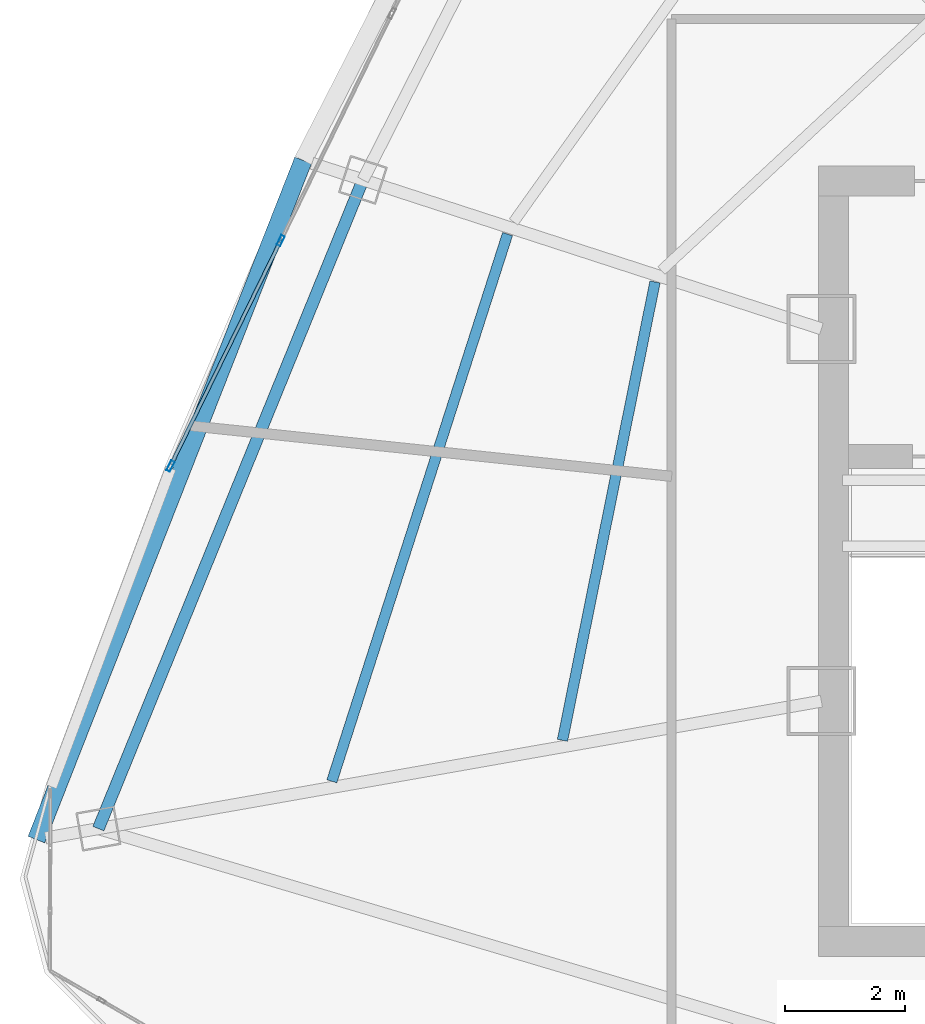
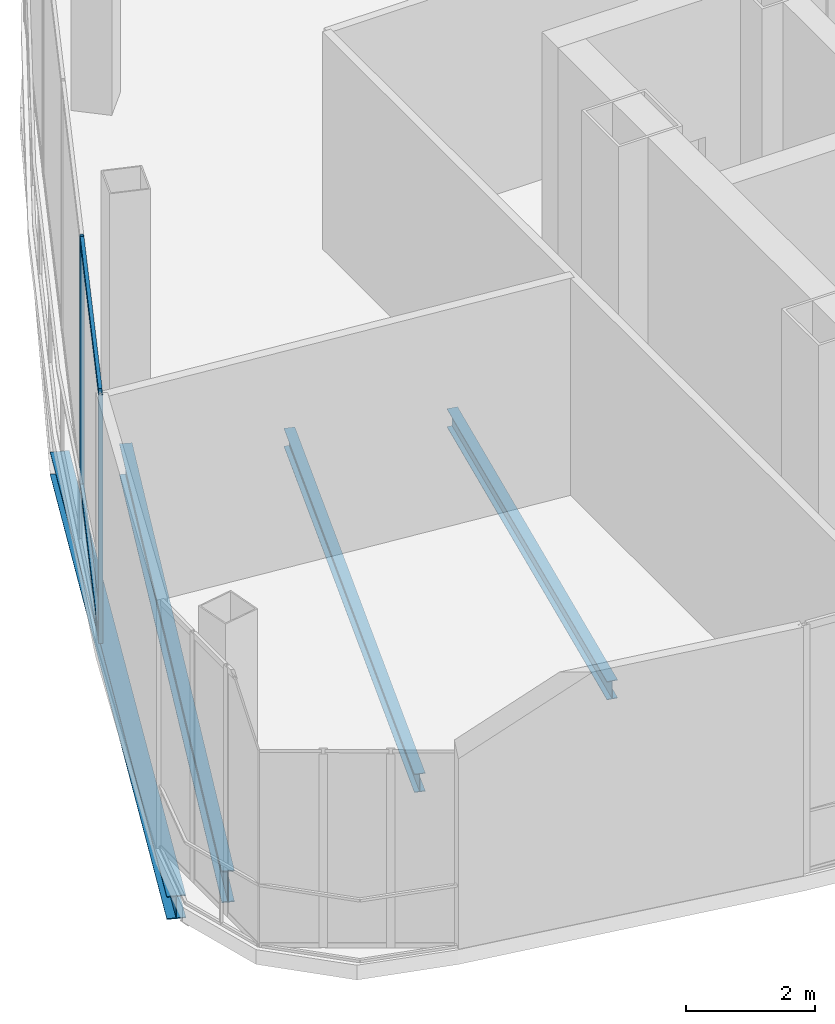
# One storey, part 6 of 32: 4 beams, 4 members, 1 element without a shape of its own.
"""IFC4 building model written with IfcOpenShell, lengths in metres."""

from ifc_helpers import new_model, si_unit, direction, frame, origin, origin_2d, place, context, subcontext, project, spatial, hollow_rectangle, i_section, extrude, source, transform, mapped, material, layer, layer_set, material_profile, profile_set, type_object, element, aggregate, save


model = new_model("IFC4")

# Units and contexts
model_context = context("Model", 3, precision=1e-05, world=origin(), true_north=direction((0.0, 1.0)))
body_context = subcontext(model_context, "Body", "Model", "MODEL_VIEW")
ifc_project = project(units=[si_unit("LENGTHUNIT", "METRE"), si_unit("AREAUNIT", "SQUARE_METRE"), si_unit("VOLUMEUNIT", "CUBIC_METRE"), si_unit("PLANEANGLEUNIT", "RADIAN"), si_unit("MASSUNIT", "GRAM", prefix="KILO"), si_unit("THERMODYNAMICTEMPERATUREUNIT", "KELVIN"), si_unit("POWERUNIT", "WATT")], contexts=[model_context])

# Site, building, storey
site_placement = place(None, origin())
site = spatial("IfcSite", under=ifc_project, at=site_placement, CompositionType="ELEMENT")
building_placement = place(site_placement, origin())
building = spatial("IfcBuilding", under=site, at=building_placement, Name="Yunzhuo Pagoda Commons", CompositionType="ELEMENT")
storey_placement = place(building_placement, frame((0.0, 0.0, 396.760009765625)))
storey = spatial("IfcBuildingStorey", under=building, at=storey_placement, Name="L98", CompositionType="ELEMENT", Elevation=396.760009765625)

# Beams
ifc_material_1 = material(Name="Structural steel Q355B", Category="steel")
ifc_material_profile_1 = material_profile(ifc_material_1, i_section(OverallWidth=0.199951171875, OverallDepth=0.60009765625, WebThickness=0.010986328125, FlangeThickness=0.01708984375, at=origin_2d()), Name="Structural steel Q355B")
ifc_profile_set_1 = profile_set([ifc_material_profile_1], Name="Structural steel Q355B")
beam_type_1 = type_object("IfcBeamType", Name="B-RG3 Beam HN 600x200x11x17", PredefinedType="BEAM", material=ifc_profile_set_1)
shared_shape_1 = source(origin(), body_context, "Body", "SweptSolid", [
    extrude(i_section(OverallWidth=0.199951171875, OverallDepth=0.60009765625, WebThickness=0.010986328125, FlangeThickness=0.01708984375, at=origin_2d()), origin(), (0.0, 0.0, 1.0), 11.696533203125),
])
beam_1_placement = place(storey_placement, frame((27.946533203125, 40.2158203125, -0.580078125), z_axis=(-0.377611800863, -0.925963999219, 0.0), x_axis=(0.925963999219, -0.377611800863, 0.0)))
element("IfcBeam", 1, at=beam_1_placement, inside=storey, type_object=beam_type_1, Name="L98 column-ring beam 11", PredefinedType="BEAM", context=body_context, shape_type="MappedRepresentation", body=[
    mapped(shared_shape_1, transform((0.0, 0.0, 0.0), scale=1.0)),
])
ifc_material_profile_2 = material_profile(ifc_material_1, i_section(OverallWidth=0.175048828125, OverallDepth=0.35009765625, WebThickness=0.007080078125, FlangeThickness=0.010986328125, at=origin_2d()), Name="Structural steel Q355B")
ifc_profile_set_2 = profile_set([ifc_material_profile_2], Name="Structural steel Q355B")
beam_type_2 = type_object("IfcBeamType", Name="B-JS2 Joist HN 350x175x7x11", PredefinedType="JOIST", material=ifc_profile_set_2)
shared_shape_2 = source(origin(), body_context, "Body", "SweptSolid", [
    extrude(i_section(OverallWidth=0.175048828125, OverallDepth=0.35009765625, WebThickness=0.007080078125, FlangeThickness=0.010986328125, at=origin_2d()), origin(), (0.0, 0.0, 1.0), 7.8056640625),
])
beam_2_placement = place(storey_placement, frame((32.822265625, 38.511474609375, -0.455078125), z_axis=(-0.197890187791, -0.980224195568, 0.0), x_axis=(0.980224195568, -0.197890187791, 0.0)))
element("IfcBeam", 2, at=beam_2_placement, inside=storey, type_object=beam_type_2, Name="L98 composite ring joist 1.11", PredefinedType="JOIST", context=body_context, shape_type="MappedRepresentation", body=[
    mapped(shared_shape_2, transform((0.0, 0.0, 0.0), scale=1.0)),
])
shared_shape_3 = source(origin(), body_context, "Body", "SweptSolid", [
    extrude(i_section(OverallWidth=0.175048828125, OverallDepth=0.35009765625, WebThickness=0.007080078125, FlangeThickness=0.010986328125, at=origin_2d()), origin(), (0.0, 0.0, 1.0), 9.593994140625),
])
beam_3_placement = place(storey_placement, frame((30.360595703125, 39.310546875, -0.455078125), z_axis=(-0.305719218499, -0.952121714614, 0.0), x_axis=(0.952121714614, -0.305719218499, 0.0)))
element("IfcBeam", 3, at=beam_3_placement, inside=storey, type_object=beam_type_2, Name="L98 composite ring joist 2.11", PredefinedType="JOIST", context=body_context, shape_type="MappedRepresentation", body=[
    mapped(shared_shape_3, transform((0.0, 0.0, 0.0), scale=1.0)),
])
ifc_material_profile_3 = material_profile(ifc_material_1, i_section(OverallWidth=0.300048828125, OverallDepth=0.43994140625, WebThickness=0.010986328125, FlangeThickness=0.01806640625, at=origin_2d()), Name="Structural steel Q355B")
ifc_profile_set_3 = profile_set([ifc_material_profile_3], Name="Structural steel Q355B")
beam_type_3 = type_object("IfcBeamType", Name="B-SP2 Beam HM 440x300x11x18", PredefinedType="BEAM", material=ifc_profile_set_3)
shared_shape_4 = source(origin(), body_context, "Body", "SweptSolid", [
    extrude(i_section(OverallWidth=0.300048828125, OverallDepth=0.43994140625, WebThickness=0.010986328125, FlangeThickness=0.01806640625, at=origin_2d()), origin(), (0.0, 0.0, 1.0), 12.18017578125),
])
beam_4_placement = place(storey_placement, frame((26.947998046875, 40.540283203125, -0.5), z_axis=(-0.365522138301, -0.930802646328, 0.0), x_axis=(0.930802646328, -0.365522138301, 0.0)))
element("IfcBeam", 4, at=beam_4_placement, inside=storey, type_object=beam_type_3, Name="L98 facade edge spandrel beam F3.3", PredefinedType="BEAM", context=body_context, shape_type="MappedRepresentation", body=[
    mapped(shared_shape_4, transform((0.0, 0.0, 0.0), scale=1.0)),
])

# Curtain wall, members
ifc_material_2 = material(Name="Anodized aluminium 6063-T6", Category="aluminium")
ifc_layer = layer(ifc_material_2, 0.179931640625)
ifc_layer_set = layer_set([ifc_layer], Name="Anodized aluminium 6063-T6")
curtain_wall_type = type_object("IfcCurtainWallType", Name="CW-CRN Crown Gable Glazing System", PredefinedType="NOTDEFINED", material=ifc_layer_set)
curtain_wall_placement = place(storey_placement, origin())
curtain_wall = element("IfcCurtainWall", 5, at=curtain_wall_placement, inside=storey, type_object=curtain_wall_type, Name="L98 curtain wall CW-L98-CRNF3G2", PredefinedType="NOTDEFINED")
ifc_material_profile_4 = material_profile(ifc_material_2, hollow_rectangle(XDim=0.06494140625, YDim=0.179931640625, WallThickness=0.00390625, at=origin_2d()), Name="Anodized aluminium 6063-T6")
ifc_profile_set_4 = profile_set([ifc_material_profile_4], Name="Anodized aluminium 6063-T6")
member_type_1 = type_object("IfcMemberType", Name="CW-CRN-M Mullion RHS 180x65x4", PredefinedType="MULLION", material=ifc_profile_set_4)
shared_shape_5 = source(origin(), body_context, "Body", "SweptSolid", [
    extrude(hollow_rectangle(XDim=0.06494140625, YDim=0.179931640625, WallThickness=0.00390625, at=origin_2d()), origin(), (0.0, 0.0, 1.0), 4.72021484375),
])
member_1_placement = place(storey_placement, frame((26.57421875, 39.20263671875, 0.0), z_axis=(0.0, 0.0, 1.0), x_axis=(0.898299261226, -0.439384156839, 0.0)))
member_1 = element("IfcMember", 6, at=member_1_placement, type_object=member_type_1, Name="CW mullion 4", PredefinedType="MULLION", context=body_context, shape_type="MappedRepresentation", body=[
    mapped(shared_shape_5, transform((0.0, 0.0, 0.0), scale=1.0)),
])
member_2_placement = place(storey_placement, frame((24.733154296875, 35.4384765625, 0.0), z_axis=(0.0, 0.0, 1.0), x_axis=(0.898299261226, -0.439384156839, 0.0)))
member_2 = element("IfcMember", 7, at=member_2_placement, type_object=member_type_1, Name="CW mullion 5", PredefinedType="MULLION", context=body_context, shape_type="MappedRepresentation", body=[
    mapped(shared_shape_5, transform((0.0, 0.0, 0.0), scale=1.0)),
])
ifc_material_profile_5 = material_profile(ifc_material_2, hollow_rectangle(XDim=0.06005859375, YDim=0.139892578125, WallThickness=0.00341796875, at=origin_2d()), Name="Anodized aluminium 6063-T6")
ifc_profile_set_5 = profile_set([ifc_material_profile_5], Name="Anodized aluminium 6063-T6")
member_type_2 = type_object("IfcMemberType", Name="CW-CRN-T Transom RHS 140x60x3.5", PredefinedType="USERDEFINED", material=ifc_profile_set_5)
shared_shape_6 = source(origin(), body_context, "Body", "SweptSolid", [
    extrude(hollow_rectangle(XDim=0.06005859375, YDim=0.139892578125, WallThickness=0.00341796875, at=origin_2d()), origin(), (0.0, 0.0, 1.0), 4.125244140625),
])
member_3_placement = place(storey_placement, frame((26.56005859375, 39.17333984375, 0.030029296875), z_axis=(-0.439360850233, -0.898310660787, 0.0), x_axis=(0.898310660787, -0.439360850233, 0.0)))
member_3 = element("IfcMember", 8, at=member_3_placement, type_object=member_type_2, Name="CW transom 4.1", ObjectType="TRANSOM", PredefinedType="USERDEFINED", context=body_context, shape_type="MappedRepresentation", body=[
    mapped(shared_shape_6, transform((0.0, 0.0, 0.0), scale=1.0)),
])
member_4_placement = place(storey_placement, frame((26.56005859375, 39.17333984375, 4.68994140625), z_axis=(-0.439360850233, -0.898310660787, 0.0), x_axis=(0.898310660787, -0.439360850233, 0.0)))
member_4 = element("IfcMember", 9, at=member_4_placement, type_object=member_type_2, Name="CW transom 4.2", ObjectType="TRANSOM", PredefinedType="USERDEFINED", context=body_context, shape_type="MappedRepresentation", body=[
    mapped(shared_shape_6, transform((0.0, 0.0, 0.0), scale=1.0)),
])
aggregate(curtain_wall, [member_1, member_2, member_3, member_4])

save(model, "model.ifc")
